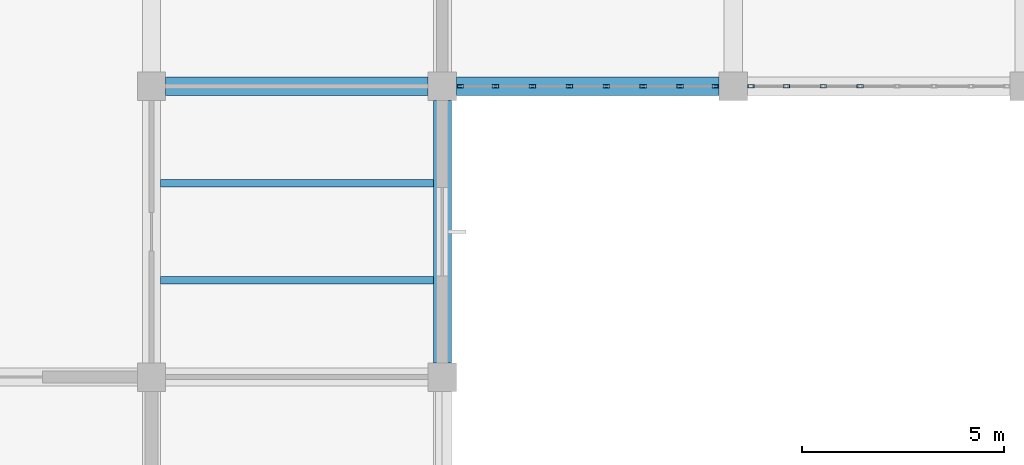
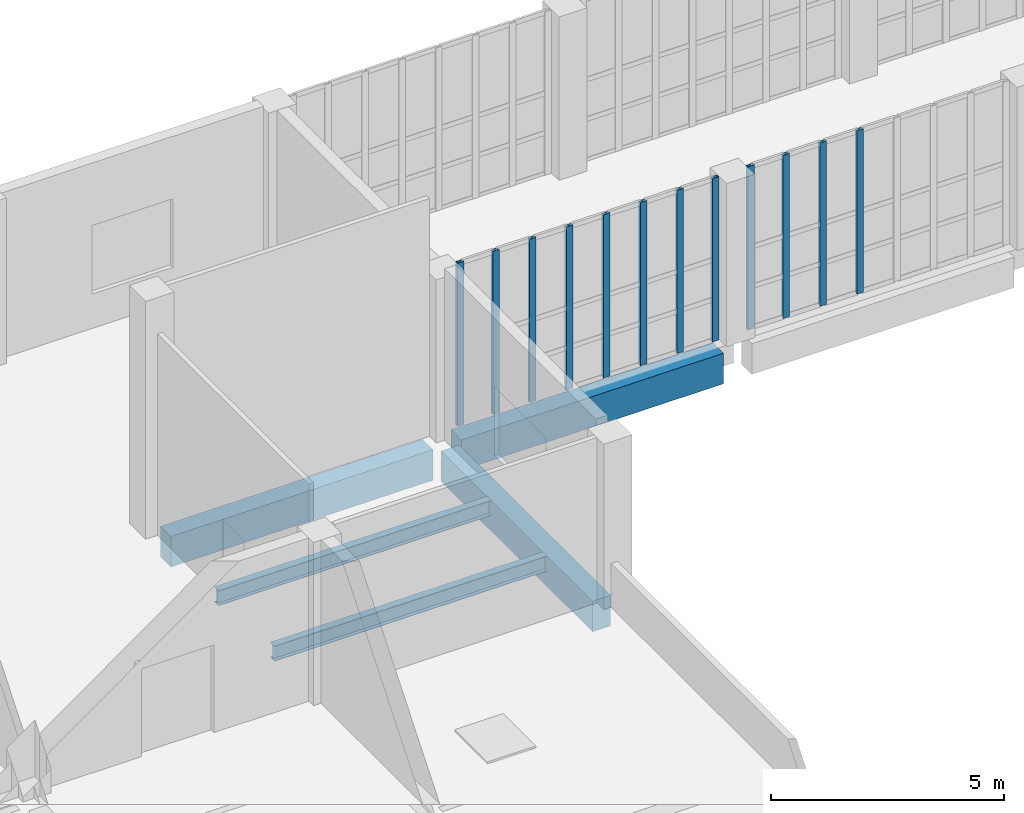
# One storey, part 22 of 108: 12 members, 5 beams, 2 elements without a shape of their own.
"""IFC4 building model written with IfcOpenShell, lengths in metres."""

from ifc_helpers import new_model, si_unit, direction, frame, origin, origin_2d, place, context, subcontext, project, spatial, rectangle, hollow_rectangle, i_section, extrude, material, layer, layer_set, material_profile, profile_set, type_object, element, aggregate, save


model = new_model("IFC4")

# Units and contexts
model_context = context("Model", 3, precision=1e-05, world=origin(), true_north=direction((0.0, 1.0)))
body_context = subcontext(model_context, "Body", "Model", "MODEL_VIEW")
ifc_project = project(units=[si_unit("LENGTHUNIT", "METRE"), si_unit("AREAUNIT", "SQUARE_METRE"), si_unit("VOLUMEUNIT", "CUBIC_METRE"), si_unit("PLANEANGLEUNIT", "RADIAN"), si_unit("MASSUNIT", "GRAM", prefix="KILO"), si_unit("THERMODYNAMICTEMPERATUREUNIT", "KELVIN"), si_unit("POWERUNIT", "WATT")], contexts=[model_context])

# Site, building, storey
site_placement = place(None, origin())
site = spatial("IfcSite", under=ifc_project, at=site_placement, CompositionType="ELEMENT")
building_placement = place(site_placement, origin())
building = spatial("IfcBuilding", under=site, at=building_placement, Name="Kaldorven Railside Theatre", CompositionType="ELEMENT")
storey_placement = place(building_placement, frame((0.0, 0.0, 5.39990234375)))
storey = spatial("IfcBuildingStorey", under=building, at=storey_placement, Name="L01", CompositionType="ELEMENT", Elevation=5.39990234375)

# Beams
ifc_material_1 = material(Name="Steel S355", Category="steel")
ifc_material_profile_1 = material_profile(ifc_material_1, i_section(OverallWidth=0.179931640625, OverallDepth=0.39990234375, WebThickness=0.008544921875, FlangeThickness=0.013427734375, at=origin_2d()), Name="IPE 400")
ifc_profile_set_1 = profile_set([ifc_material_profile_1], Name="Steel S355")
beam_type_1 = type_object("IfcBeamType", Name="BM-IPE400", PredefinedType="JOIST", material=ifc_profile_set_1)
for number, where, z_axis, x_axis, name in (
    (1, (37.02490234375, 64.800048828125, -0.449951171875), (1.0, 0.0, 0.0), (0.0, 1.0, 0.0), "L01 Secondary Floor Joist JG-L01-036-0648"),
    (2, (37.02490234375, 67.199951171875, -0.449951171875), (1.0, 0.0, 0.0), (0.0, 1.0, 0.0), "L01 Secondary Floor Joist JG-L01-036-0672"),
):
    element("IfcBeam", number, at=place(storey_placement, frame(where, z_axis=z_axis, x_axis=x_axis)), inside=storey, type_object=beam_type_1, Name=name, PredefinedType="JOIST", context=body_context, shape_type="SweptSolid", body=[
        extrude(i_section(OverallWidth=0.179931640625, OverallDepth=0.39990234375, WebThickness=0.008544921875, FlangeThickness=0.013427734375, at=origin_2d()), origin(), (0.0, 0.0, 1.0), 6.75),
    ])
ifc_material_2 = material(Name="Concrete C40/50", Category="concrete")
ifc_material_profile_2 = material_profile(ifc_material_2, rectangle(XDim=0.449951171875, YDim=0.800048828125, at=origin_2d()), Name="RC 450x800")
ifc_profile_set_2 = profile_set([ifc_material_profile_2], Name="Concrete C40/50")
beam_type_2 = type_object("IfcBeamType", Name="BM-RC450x800", PredefinedType="BEAM", material=ifc_profile_set_2)
for number, where, z_axis, x_axis, name in (
    (3, (44.0, 62.75, -0.64990234375), (0.0, 1.0, 0.0), (-1.0, 0.0, 0.0), "L01 Girder BGY-L01-044-062-72"),
    (4, (37.14990234375, 69.60009765625, -0.64990234375), (1.0, 0.0, 0.0), (0.0, 1.0, 0.0), "L01 Girder BGX-L01-036-069"),
    (5, (44.35009765625, 69.60009765625, -0.639892578125), (1.0, 0.0, 0.0), (0.0, 1.0, 0.0), "L01 Girder BGX-L01-044-069"),
):
    element("IfcBeam", number, at=place(storey_placement, frame(where, z_axis=z_axis, x_axis=x_axis)), inside=storey, type_object=beam_type_2, Name=name, PredefinedType="BEAM", context=body_context, shape_type="SweptSolid", body=[
        extrude(rectangle(XDim=0.449951171875, YDim=0.800048828125, at=origin_2d()), origin(), (0.0, 0.0, 1.0), 6.5),
    ])

# Curtain wall, members
ifc_material_3 = material(Name="Low-E laminated solar-control glass", Category="glass")
ifc_layer = layer(ifc_material_3, 0.159912109375, Name="Low-E laminated solar-control glass")
ifc_layer_set = layer_set([ifc_layer], Name="Low-E laminated solar-control glass")
curtain_wall_type = type_object("IfcCurtainWallType", Name="CWT-25", PredefinedType="USERDEFINED", material=ifc_layer_set)
curtain_wall_1_placement = place(storey_placement, origin())
curtain_wall_1 = element("IfcCurtainWall", 6, at=curtain_wall_1_placement, inside=storey, type_object=curtain_wall_type, Name="Sinusoidal Fluted Curtain Wall CW-L01-BS01", ObjectType="FLUTED GLAZING", PredefinedType="USERDEFINED")
ifc_material_4 = material(Name="Anodised bronze aluminium", Category="aluminium")
ifc_material_profile_3 = material_profile(ifc_material_4, hollow_rectangle(XDim=0.080078125, YDim=0.159912109375, WallThickness=0.00634765625, at=origin_2d()), Name="RHS 160x80x6.3")
ifc_profile_set_3 = profile_set([ifc_material_profile_3], Name="Anodised bronze aluminium")
member_type = type_object("IfcMemberType", Name="CWM-160", PredefinedType="MULLION", material=ifc_profile_set_3)
member_1_placement = place(storey_placement, frame((44.43994140625, 69.60009765625, 0.0), z_axis=(0.0, 0.0, 1.0), x_axis=(0.0, 1.0, 0.0)))
member_1 = element("IfcMember", 7, at=member_1_placement, type_object=member_type, Name="CW-L01-BS01 mullion 1", PredefinedType="MULLION", context=body_context, shape_type="SweptSolid", body=[
    extrude(hollow_rectangle(XDim=0.080078125, YDim=0.159912109375, WallThickness=0.00634765625, at=origin_2d()), origin(), (0.0, 0.0, 1.0), 4.280029296875),
])
member_2_placement = place(storey_placement, frame((45.314208984375, 69.60009765625, 0.0), z_axis=(0.0, 0.0, 1.0), x_axis=(0.0, 1.0, 0.0)))
member_2 = element("IfcMember", 8, at=member_2_placement, type_object=member_type, Name="CW-L01-BS01 mullion 2", PredefinedType="MULLION", context=body_context, shape_type="SweptSolid", body=[
    extrude(hollow_rectangle(XDim=0.080078125, YDim=0.159912109375, WallThickness=0.00634765625, at=origin_2d()), origin(), (0.0, 0.0, 1.0), 4.280029296875),
])
member_3_placement = place(storey_placement, frame((46.228515625, 69.60009765625, 0.0), z_axis=(0.0, 0.0, 1.0), x_axis=(0.0, 1.0, 0.0)))
member_3 = element("IfcMember", 9, at=member_3_placement, type_object=member_type, Name="CW-L01-BS01 mullion 3", PredefinedType="MULLION", context=body_context, shape_type="SweptSolid", body=[
    extrude(hollow_rectangle(XDim=0.080078125, YDim=0.159912109375, WallThickness=0.00634765625, at=origin_2d()), origin(), (0.0, 0.0, 1.0), 4.280029296875),
])
member_4_placement = place(storey_placement, frame((47.142822265625, 69.60009765625, 0.0), z_axis=(0.0, 0.0, 1.0), x_axis=(0.0, 1.0, 0.0)))
member_4 = element("IfcMember", 10, at=member_4_placement, type_object=member_type, Name="CW-L01-BS01 mullion 4", PredefinedType="MULLION", context=body_context, shape_type="SweptSolid", body=[
    extrude(hollow_rectangle(XDim=0.080078125, YDim=0.159912109375, WallThickness=0.00634765625, at=origin_2d()), origin(), (0.0, 0.0, 1.0), 4.280029296875),
])
member_5_placement = place(storey_placement, frame((48.05712890625, 69.60009765625, 0.0), z_axis=(0.0, 0.0, 1.0), x_axis=(0.0, 1.0, 0.0)))
member_5 = element("IfcMember", 11, at=member_5_placement, type_object=member_type, Name="CW-L01-BS01 mullion 5", PredefinedType="MULLION", context=body_context, shape_type="SweptSolid", body=[
    extrude(hollow_rectangle(XDim=0.080078125, YDim=0.159912109375, WallThickness=0.00634765625, at=origin_2d()), origin(), (0.0, 0.0, 1.0), 4.280029296875),
])
member_6_placement = place(storey_placement, frame((48.971435546875, 69.60009765625, 0.0), z_axis=(0.0, 0.0, 1.0), x_axis=(0.0, 1.0, 0.0)))
member_6 = element("IfcMember", 12, at=member_6_placement, type_object=member_type, Name="CW-L01-BS01 mullion 6", PredefinedType="MULLION", context=body_context, shape_type="SweptSolid", body=[
    extrude(hollow_rectangle(XDim=0.080078125, YDim=0.159912109375, WallThickness=0.00634765625, at=origin_2d()), origin(), (0.0, 0.0, 1.0), 4.280029296875),
])
member_7_placement = place(storey_placement, frame((49.8857421875, 69.60009765625, 0.0), z_axis=(0.0, 0.0, 1.0), x_axis=(0.0, 1.0, 0.0)))
member_7 = element("IfcMember", 13, at=member_7_placement, type_object=member_type, Name="CW-L01-BS01 mullion 7", PredefinedType="MULLION", context=body_context, shape_type="SweptSolid", body=[
    extrude(hollow_rectangle(XDim=0.080078125, YDim=0.159912109375, WallThickness=0.00634765625, at=origin_2d()), origin(), (0.0, 0.0, 1.0), 4.280029296875),
])
member_8_placement = place(storey_placement, frame((50.760009765625, 69.60009765625, 0.0), z_axis=(0.0, 0.0, 1.0), x_axis=(0.0, 1.0, 0.0)))
member_8 = element("IfcMember", 14, at=member_8_placement, type_object=member_type, Name="CW-L01-BS01 mullion 8", PredefinedType="MULLION", context=body_context, shape_type="SweptSolid", body=[
    extrude(hollow_rectangle(XDim=0.080078125, YDim=0.159912109375, WallThickness=0.00634765625, at=origin_2d()), origin(), (0.0, 0.0, 1.0), 4.280029296875),
])
aggregate(curtain_wall_1, [member_1, member_2, member_3, member_4, member_5, member_6, member_7, member_8])

curtain_wall_2_placement = place(storey_placement, origin())
curtain_wall_2 = element("IfcCurtainWall", 15, at=curtain_wall_2_placement, inside=storey, type_object=curtain_wall_type, Name="Sinusoidal Fluted Curtain Wall CW-L01-BS02", ObjectType="FLUTED GLAZING", PredefinedType="USERDEFINED")
member_9_placement = place(storey_placement, frame((51.639892578125, 69.60009765625, 0.0), z_axis=(0.0, 0.0, 1.0), x_axis=(0.0, 1.0, 0.0)))
member_9 = element("IfcMember", 16, at=member_9_placement, type_object=member_type, Name="CW-L01-BS02 mullion 1", PredefinedType="MULLION", context=body_context, shape_type="SweptSolid", body=[
    extrude(hollow_rectangle(XDim=0.080078125, YDim=0.159912109375, WallThickness=0.00634765625, at=origin_2d()), origin(), (0.0, 0.0, 1.0), 4.280029296875),
])
member_10_placement = place(storey_placement, frame((52.514404296875, 69.60009765625, 0.0), z_axis=(0.0, 0.0, 1.0), x_axis=(0.0, 1.0, 0.0)))
member_10 = element("IfcMember", 17, at=member_10_placement, type_object=member_type, Name="CW-L01-BS02 mullion 2", PredefinedType="MULLION", context=body_context, shape_type="SweptSolid", body=[
    extrude(hollow_rectangle(XDim=0.080078125, YDim=0.159912109375, WallThickness=0.00634765625, at=origin_2d()), origin(), (0.0, 0.0, 1.0), 4.280029296875),
])
member_11_placement = place(storey_placement, frame((53.428466796875, 69.60009765625, 0.0), z_axis=(0.0, 0.0, 1.0), x_axis=(0.0, 1.0, 0.0)))
member_11 = element("IfcMember", 18, at=member_11_placement, type_object=member_type, Name="CW-L01-BS02 mullion 3", PredefinedType="MULLION", context=body_context, shape_type="SweptSolid", body=[
    extrude(hollow_rectangle(XDim=0.080078125, YDim=0.159912109375, WallThickness=0.00634765625, at=origin_2d()), origin(), (0.0, 0.0, 1.0), 4.280029296875),
])
member_12_placement = place(storey_placement, frame((54.3427734375, 69.60009765625, 0.0), z_axis=(0.0, 0.0, 1.0), x_axis=(0.0, 1.0, 0.0)))
member_12 = element("IfcMember", 19, at=member_12_placement, type_object=member_type, Name="CW-L01-BS02 mullion 4", PredefinedType="MULLION", context=body_context, shape_type="SweptSolid", body=[
    extrude(hollow_rectangle(XDim=0.080078125, YDim=0.159912109375, WallThickness=0.00634765625, at=origin_2d()), origin(), (0.0, 0.0, 1.0), 4.280029296875),
])
aggregate(curtain_wall_2, [member_9, member_10, member_11, member_12])

save(model, "model.ifc")
